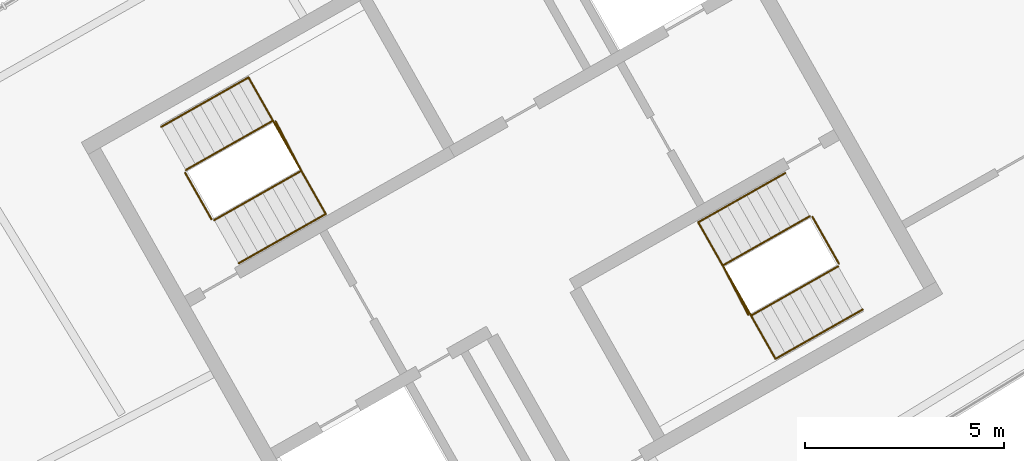
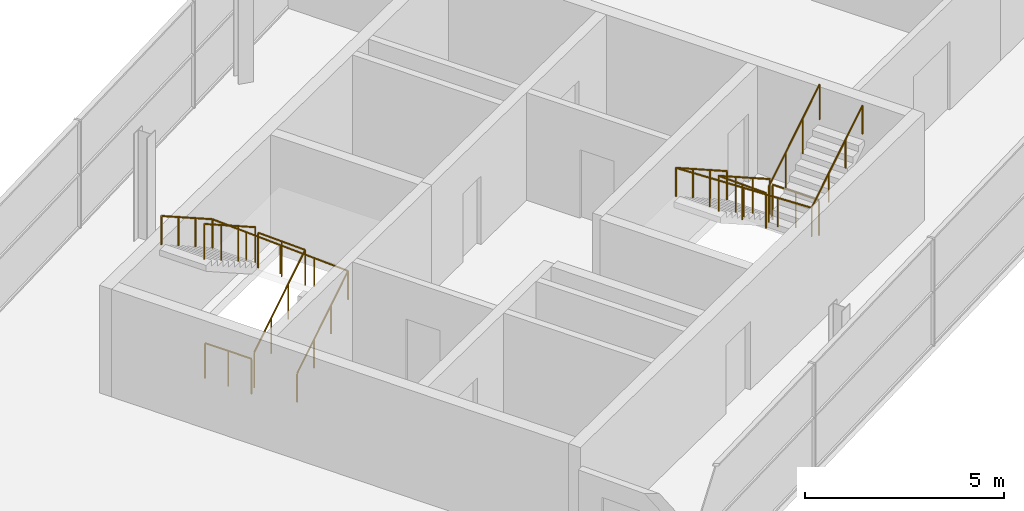
# One storey, part 8 of 8: 8 railings.
"""IFC4 building model written with IfcOpenShell, lengths in metres."""

import ifcopenshell
import ifcopenshell.guid

model = None  # the IFC model being written
_history = None  # IfcOwnerHistory: only IFC2X3 demands one
_inside = {}  # id of a spatial element -> (the spatial element, [elements in it])
_under = {}  # id of a project, library or spatial element -> (it, [spatial elements below it])
_declared = {}  # id of a project -> (the project, [libraries it declares])
_typed = {}  # id of a type object -> (the type object, [elements of that type])
_made_of = {}  # id of a material, layer set ... -> (it, [elements and type objects made of it])


def new_model(schema):
    """Start an empty IFC model of exactly this schema.

    Asked for "IFC4X3", IfcOpenShell would pick the latest addendum, in which some entities
    have other attributes; the version numbers below select the first issue.
    IFC2X3 requires an IfcOwnerHistory on every rooted entity: one is made here for all.
    """
    global model, _history
    if schema == "IFC4X3":
        model = ifcopenshell.file(schema_version=(4, 3, 0, 0))
    else:
        model = ifcopenshell.file(schema=schema)
    _inside.clear()
    _under.clear()
    _declared.clear()
    _typed.clear()
    _made_of.clear()
    _history = None
    if model.schema == "IFC2X3":
        org = make("IfcOrganization", Name="unknown")
        user = make(
            "IfcPersonAndOrganization",
            ThePerson=make("IfcPerson", FamilyName="unknown"),
            TheOrganization=org,
        )
        app = make(
            "IfcApplication",
            ApplicationDeveloper=org,
            Version="unknown",
            ApplicationFullName="unknown",
            ApplicationIdentifier="unknown",
        )
        _history = make(
            "IfcOwnerHistory",
            OwningUser=user,
            OwningApplication=app,
            ChangeAction="ADDED",
            CreationDate=0,
        )
    return model


def make(cls, **values):
    """One entity of the class cls with the attributes given. An attribute that is None is left unset."""
    return model.create_entity(
        cls, **{name: value for name, value in values.items() if value is not None}
    )


def rooted(cls, **values):
    """An entity with a GlobalId (a new one), such as an element, a storey or a relation."""
    return make(cls, GlobalId=ifcopenshell.guid.new(), OwnerHistory=_history, **values)


def si_unit(unit_type, name, prefix=None):
    """IfcSIUnit, for example si_unit("LENGTHUNIT", "METRE", prefix="MILLI")."""
    return make("IfcSIUnit", UnitType=unit_type, Prefix=prefix, Name=name)


def assignment(units):
    """IfcUnitAssignment: the units of a project."""
    return None if units is None else make("IfcUnitAssignment", Units=units)


def point(xyz):
    """IfcCartesianPoint."""
    return None if xyz is None else make("IfcCartesianPoint", Coordinates=xyz)


def direction(xyz):
    """IfcDirection."""
    return None if xyz is None else make("IfcDirection", DirectionRatios=xyz)


def frame(location, z_axis=None, x_axis=None):
    """IfcAxis2Placement3D, a coordinate frame: its origin and axes. An axis left out is left unset."""
    return make(
        "IfcAxis2Placement3D",
        Location=point(location),
        Axis=direction(z_axis),
        RefDirection=direction(x_axis),
    )


def frame_2d(location, x_axis=None):
    """IfcAxis2Placement2D, a coordinate frame in the plane: its origin and x axis."""
    return make(
        "IfcAxis2Placement2D", Location=point(location), RefDirection=direction(x_axis)
    )


def origin():
    """The frame at (0, 0, 0) with its axes left unset."""
    return frame((0.0, 0.0, 0.0))


def origin_2d():
    """The frame at (0, 0) in the plane with its x axis left unset."""
    return frame_2d((0.0, 0.0))


def place(relative_to, where):
    """IfcLocalPlacement: puts the frame where relative to a parent placement (None: the world)."""
    return make(
        "IfcLocalPlacement", PlacementRelTo=relative_to, RelativePlacement=where
    )


def context(
    kind, dimensions, precision=None, world=None, true_north=None, identifier=None
):
    """IfcGeometricRepresentationContext, for example the 3D "Model" context."""
    return make(
        "IfcGeometricRepresentationContext",
        ContextIdentifier=identifier,
        ContextType=kind,
        CoordinateSpaceDimension=dimensions,
        Precision=precision,
        WorldCoordinateSystem=world,
        TrueNorth=true_north,
    )


def subcontext(parent, identifier, kind, view, scale=None):
    """IfcGeometricRepresentationSubContext, for example "Body" below "Model"."""
    return make(
        "IfcGeometricRepresentationSubContext",
        ContextIdentifier=identifier,
        ContextType=kind,
        ParentContext=parent,
        TargetScale=scale,
        TargetView=view,
    )


def project(units=None, contexts=None):
    """IfcProject with its units and contexts."""
    return rooted(
        "IfcProject",
        Name="project",
        RepresentationContexts=contexts,
        UnitsInContext=assignment(units),
    )


def spatial(cls, under=None, at=None, **own):
    """A site, building, storey or space (cls), placed at a placement, below another one or the project."""
    s = rooted(cls, ObjectPlacement=at, **own)
    if under is not None:
        _under.setdefault(under.id(), (under, []))[1].append(s)
    return s


def profile(cls, at=None, kind="AREA", **sizes):
    """A parametric profile (cls). Its sizes go by their IFC names, for example OverallWidth=200.0."""
    return make(cls, ProfileType=kind, Position=at, **sizes)


def circle(**sizes):
    """IfcCircleProfileDef."""
    return profile("IfcCircleProfileDef", **sizes)


def extrude(swept, where, along, depth):
    """IfcExtrudedAreaSolid: the profile swept, set in the frame where, extruded along a direction by depth."""
    return make(
        "IfcExtrudedAreaSolid",
        SweptArea=swept,
        Position=where,
        ExtrudedDirection=direction(along),
        Depth=depth,
    )


def shape(context_of_items, identifier, shape_type, items):
    """IfcShapeRepresentation: the items that make up one representation, for example the "Body"."""
    return make(
        "IfcShapeRepresentation",
        ContextOfItems=context_of_items,
        RepresentationIdentifier=identifier,
        RepresentationType=shape_type,
        Items=items,
    )


def material(Name=None, Category=None):
    """IfcMaterial."""
    return make("IfcMaterial", Name=Name, Category=Category)


def made_of(thing, what):
    """Note that an element or type object is made of a material, layer set ...; save() writes the relation."""
    if what is not None:
        _made_of.setdefault(what.id(), (what, []))[1].append(thing)
    return thing


def type_object(cls, material=None, **own):
    """A type object (cls), such as IfcWallType, which elements share."""
    return made_of(rooted(cls, **own), material)


def element(
    cls,
    number,
    at=None,
    inside=None,
    cuts=None,
    type_object=None,
    material=None,
    context=None,
    identifier="Body",
    shape_type=None,
    held_by="IfcProductDefinitionShape",
    body=None,
    shapes=None,
    **own,
):
    """One element of the class cls, such as IfcWall. Its Tag is "e" and its number.

    at: its placement. inside: the storey or other place that contains it. cuts: it is an
    opening in that element (IfcRelVoidsElement). A single representation is given by context,
    identifier, shape_type and body (its items); several are given by shapes. held_by: the class
    of the entity that holds the representations. save() writes the other relations.
    """
    e = rooted(cls, Tag="e%d" % number, ObjectPlacement=at, **own)
    if body is not None:
        shapes = [shape(context, identifier, shape_type, body)]
    if shapes is not None:
        e.Representation = make(held_by, Representations=shapes)
    if inside is not None:
        _inside.setdefault(inside.id(), (inside, []))[1].append(e)
    if cuts is not None:
        rooted(
            "IfcRelVoidsElement", RelatingBuildingElement=cuts, RelatedOpeningElement=e
        )
    if type_object is not None:
        _typed.setdefault(type_object.id(), (type_object, []))[1].append(e)
    return made_of(e, material)


def aggregate(whole, parts):
    """IfcRelAggregates: a whole, such as a stair, and the parts it consists of."""
    return rooted("IfcRelAggregates", RelatingObject=whole, RelatedObjects=parts)


def save(model, path):
    """Write the relations noted so far, then the file.

    IfcRelAggregates (storeys below a building ...), IfcRelContainedInSpatialStructure (elements
    in a storey), IfcRelDefinesByType, IfcRelAssociatesMaterial and IfcRelDeclares: one each for
    every whole, place, type object, material and project.
    """
    for whole, parts in _under.values():
        aggregate(whole, parts)
    for where, things in _inside.values():
        rooted(
            "IfcRelContainedInSpatialStructure",
            RelatedElements=things,
            RelatingStructure=where,
        )
    for kind, things in _typed.values():
        rooted("IfcRelDefinesByType", RelatedObjects=things, RelatingType=kind)
    for what, things in _made_of.values():
        rooted("IfcRelAssociatesMaterial", RelatedObjects=things, RelatingMaterial=what)
    for by, libraries in _declared.values():
        rooted("IfcRelDeclares", RelatingContext=by, RelatedDefinitions=libraries)
    model.write(path)


model = new_model("IFC4")

# Units and contexts
model_context = context("Model", 3, precision=1e-05, world=origin(), true_north=direction((0.0, 1.0)))
body_context = subcontext(model_context, "Body", "Model", "MODEL_VIEW")
ifc_project = project(units=[si_unit("LENGTHUNIT", "METRE"), si_unit("AREAUNIT", "SQUARE_METRE"), si_unit("VOLUMEUNIT", "CUBIC_METRE"), si_unit("PLANEANGLEUNIT", "RADIAN"), si_unit("MASSUNIT", "GRAM", prefix="KILO")], contexts=[model_context])

# Site, building, storey
site_placement = place(None, origin())
site = spatial("IfcSite", under=ifc_project, at=site_placement, CompositionType="ELEMENT")
building_placement = place(site_placement, origin())
building = spatial("IfcBuilding", under=site, at=building_placement, Name="Binnacle Exchange Tower", CompositionType="ELEMENT")
storey_placement = place(building_placement, frame((0.0, 0.0, 350.5)))
storey = spatial("IfcBuildingStorey", under=building, at=storey_placement, Name="L80", CompositionType="ELEMENT", Elevation=350.5)

# Railings
ifc_material_1 = material(Name="Steel guard rail", Category="steel")
railing_type_1 = type_object("IfcRailingType", Name="STAIR GUARD 1100", PredefinedType="GUARDRAIL", material=ifc_material_1)
railing_1_placement = place(storey_placement, frame((-43.26171875, 39.71728515625, 0.179931640625)))
element("IfcRailing", 1, at=railing_1_placement, inside=storey, type_object=railing_type_1, Name="L80 STA1 stair guard 1", PredefinedType="GUARDRAIL", context=body_context, shape_type="SweptSolid", body=[
    extrude(circle(Radius=0.02392578125, at=origin_2d()), frame((0.0, 0.0, 1.076171875), z_axis=(0.732112736453, 0.41421739085, 0.540772497674), x_axis=(-0.492430705092, 0.870351653461, 0.0)), (0.0, 0.0, 1.0), 2.995849609375),
    extrude(circle(Radius=0.02392578125, at=origin_2d()), frame((2.193359375, 1.240966796875, 2.6962890625), z_axis=(-0.461100321709, 0.887348011391, 0.0), x_axis=(-0.887348011391, -0.461100321709, 0.0)), (0.0, 0.0, 1.0), 1.40087890625),
    extrude(circle(Radius=0.02099609375, at=origin_2d()), origin(), (0.0, 0.0, 1.0), 1.052001953125),
    extrude(circle(Radius=0.02099609375, at=origin_2d()), frame((0.731201171875, 0.41357421875, 0.5400390625)), (0.0, 0.0, 1.0), 1.052001953125),
    extrude(circle(Radius=0.02099609375, at=origin_2d()), frame((1.462158203125, 0.827392578125, 1.080078125)), (0.0, 0.0, 1.0), 1.052001953125),
    extrude(circle(Radius=0.02099609375, at=origin_2d()), frame((2.193359375, 1.240966796875, 1.6201171875)), (0.0, 0.0, 1.0), 1.052001953125),
    extrude(circle(Radius=0.02099609375, at=origin_2d()), frame((1.870361328125, 1.862548828125, 1.6201171875)), (0.0, 0.0, 1.0), 1.052001953125),
    extrude(circle(Radius=0.02099609375, at=origin_2d()), frame((1.54736328125, 2.484130859375, 1.6201171875)), (0.0, 0.0, 1.0), 1.052001953125),
])
railing_2_placement = place(storey_placement, frame((-41.782470703125, 42.22021484375, 1.97998046875)))
element("IfcRailing", 2, at=railing_2_placement, inside=storey, type_object=railing_type_1, Name="L80 STA1 stair guard 2", PredefinedType="GUARDRAIL", context=body_context, shape_type="SweptSolid", body=[
    extrude(circle(Radius=0.02392578125, at=origin_2d()), frame((0.0, 0.0, 1.076171875), z_axis=(-0.732112736453, -0.41421739085, 0.540772497674), x_axis=(0.492430705092, -0.870351653461, 0.0)), (0.0, 0.0, 1.0), 2.995849609375),
    extrude(circle(Radius=0.02099609375, at=origin_2d()), origin(), (0.0, 0.0, 1.0), 1.052001953125),
    extrude(circle(Radius=0.02099609375, at=origin_2d()), frame((-0.731201171875, -0.41357421875, 0.5400390625)), (0.0, 0.0, 1.0), 1.052001953125),
    extrude(circle(Radius=0.02099609375, at=origin_2d()), frame((-1.462158203125, -0.827392578125, 1.080078125)), (0.0, 0.0, 1.0), 1.052001953125),
    extrude(circle(Radius=0.02099609375, at=origin_2d()), frame((-2.193359375, -1.240966796875, 1.6201171875)), (0.0, 0.0, 1.0), 1.052001953125),
])
railing_3_placement = place(storey_placement, frame((-43.329833984375, 39.736328125, 0.0)))
element("IfcRailing", 3, at=railing_3_placement, inside=storey, type_object=railing_type_1, Name="L80 STA1 stair guard 3", PredefinedType="GUARDRAIL", context=body_context, shape_type="SweptSolid", body=[
    extrude(circle(Radius=0.02392578125, at=origin_2d()), frame((0.0, 0.0, 1.076171875), z_axis=(-0.4924922531, 0.870316827734, 0.0), x_axis=(-0.870316827734, -0.4924922531, 0.0)), (0.0, 0.0, 1.0), 1.349853515625),
    extrude(circle(Radius=0.02099609375, at=origin_2d()), origin(), (0.0, 0.0, 1.0), 1.052001953125),
    extrude(circle(Radius=0.02099609375, at=origin_2d()), frame((-0.33251953125, 0.58740234375, 0.0)), (0.0, 0.0, 1.0), 1.052001953125),
    extrude(circle(Radius=0.02099609375, at=origin_2d()), frame((-0.664794921875, 1.1748046875, 0.0)), (0.0, 0.0, 1.0), 1.052001953125),
])
railing_4_placement = place(storey_placement, frame((-28.265380859375, 39.814453125, 0.179931640625)))
element("IfcRailing", 4, at=railing_4_placement, inside=storey, type_object=railing_type_1, Name="L80 STA2 stair guard 1", PredefinedType="GUARDRAIL", context=body_context, shape_type="SweptSolid", body=[
    extrude(circle(Radius=0.02392578125, at=origin_2d()), frame((0.0, 0.0, 1.076171875), z_axis=(-0.732112736453, -0.41421739085, 0.540772497674), x_axis=(0.492430705092, -0.870351653461, 0.0)), (0.0, 0.0, 1.0), 2.995849609375),
    extrude(circle(Radius=0.02392578125, at=origin_2d()), frame((-2.193359375, -1.240966796875, 2.6962890625), z_axis=(0.461100321709, -0.887348011391, 0.0), x_axis=(0.887348011391, 0.461100321709, 0.0)), (0.0, 0.0, 1.0), 1.40087890625),
    extrude(circle(Radius=0.02099609375, at=origin_2d()), origin(), (0.0, 0.0, 1.0), 1.052001953125),
    extrude(circle(Radius=0.02099609375, at=origin_2d()), frame((-0.731201171875, -0.41357421875, 0.5400390625)), (0.0, 0.0, 1.0), 1.052001953125),
    extrude(circle(Radius=0.02099609375, at=origin_2d()), frame((-1.462158203125, -0.827392578125, 1.080078125)), (0.0, 0.0, 1.0), 1.052001953125),
    extrude(circle(Radius=0.02099609375, at=origin_2d()), frame((-2.193359375, -1.240966796875, 1.6201171875)), (0.0, 0.0, 1.0), 1.052001953125),
    extrude(circle(Radius=0.02099609375, at=origin_2d()), frame((-1.870361328125, -1.862548828125, 1.6201171875)), (0.0, 0.0, 1.0), 1.052001953125),
    extrude(circle(Radius=0.02099609375, at=origin_2d()), frame((-1.54736328125, -2.484130859375, 1.6201171875)), (0.0, 0.0, 1.0), 1.052001953125),
])
railing_5_placement = place(storey_placement, frame((-29.74462890625, 37.3115234375, 1.97998046875)))
element("IfcRailing", 5, at=railing_5_placement, inside=storey, type_object=railing_type_1, Name="L80 STA2 stair guard 2", PredefinedType="GUARDRAIL", context=body_context, shape_type="SweptSolid", body=[
    extrude(circle(Radius=0.02392578125, at=origin_2d()), frame((0.0, 0.0, 1.076171875), z_axis=(0.732074920478, 0.414242104062, 0.540804761471), x_axis=(-0.492472228755, 0.870328158746, 0.0)), (0.0, 0.0, 1.0), 2.995849609375),
    extrude(circle(Radius=0.02099609375, at=origin_2d()), origin(), (0.0, 0.0, 1.0), 1.052001953125),
    extrude(circle(Radius=0.02099609375, at=origin_2d()), frame((0.73095703125, 0.41357421875, 0.5400390625)), (0.0, 0.0, 1.0), 1.052001953125),
    extrude(circle(Radius=0.02099609375, at=origin_2d()), frame((1.462158203125, 0.827392578125, 1.080078125)), (0.0, 0.0, 1.0), 1.052001953125),
    extrude(circle(Radius=0.02099609375, at=origin_2d()), frame((2.193115234375, 1.240966796875, 1.6201171875)), (0.0, 0.0, 1.0), 1.052001953125),
])
railing_6_placement = place(storey_placement, frame((-28.197265625, 39.795654296875, 0.0)))
element("IfcRailing", 6, at=railing_6_placement, inside=storey, type_object=railing_type_1, Name="L80 STA2 stair guard 3", PredefinedType="GUARDRAIL", context=body_context, shape_type="SweptSolid", body=[
    extrude(circle(Radius=0.02392578125, at=origin_2d()), frame((0.0, 0.0, 1.076171875), z_axis=(0.49241474071, -0.870360685654, 0.0), x_axis=(0.870360685654, 0.49241474071, 0.0)), (0.0, 0.0, 1.0), 1.35009765625),
    extrude(circle(Radius=0.02099609375, at=origin_2d()), origin(), (0.0, 0.0, 1.0), 1.052001953125),
    extrude(circle(Radius=0.02099609375, at=origin_2d()), frame((0.33251953125, -0.58740234375, 0.0)), (0.0, 0.0, 1.0), 1.052001953125),
    extrude(circle(Radius=0.02099609375, at=origin_2d()), frame((0.664794921875, -1.175048828125, 0.0)), (0.0, 0.0, 1.0), 1.052001953125),
])
ifc_material_2 = material(Name="Steel handrail", Category="steel")
railing_type_2 = type_object("IfcRailingType", Name="STAIR HANDRAIL 900", PredefinedType="HANDRAIL", material=ifc_material_2)
railing_7_placement = place(storey_placement, frame((-42.646240234375, 38.62939453125, 0.179931640625)))
element("IfcRailing", 7, at=railing_7_placement, inside=storey, type_object=railing_type_2, Name="L80 STA1 stair handrail 1", PredefinedType="HANDRAIL", context=body_context, shape_type="SweptSolid", body=[
    extrude(circle(Radius=0.02392578125, at=origin_2d()), frame((0.0, 0.0, 0.8759765625), z_axis=(0.732112736453, 0.41421739085, 0.540772497674), x_axis=(-0.492430705092, 0.870351653461, 0.0)), (0.0, 0.0, 1.0), 2.995849609375),
    extrude(circle(Radius=0.02392578125, at=origin_2d()), frame((2.193359375, 1.240966796875, 2.49609375), z_axis=(-0.491929959296, 0.869444678906, 0.045506762897), x_axis=(-0.87034633103, -0.492440112159, 0.0)), (0.0, 0.0, 1.0), 3.953857421875),
    extrude(circle(Radius=0.02392578125, at=origin_2d()), frame((0.248291015625, 4.6787109375, 2.67578125), z_axis=(-0.73213744765, -0.414149878557, 0.540790750513), x_axis=(0.492357313618, -0.87039317307, 0.0)), (0.0, 0.0, 1.0), 2.995849609375),
    extrude(circle(Radius=0.02099609375, at=origin_2d()), origin(), (0.0, 0.0, 1.0), 0.851806640625),
    extrude(circle(Radius=0.02099609375, at=origin_2d()), frame((0.731201171875, 0.41357421875, 0.5400390625)), (0.0, 0.0, 1.0), 0.851806640625),
    extrude(circle(Radius=0.02099609375, at=origin_2d()), frame((1.462158203125, 0.827392578125, 1.080078125)), (0.0, 0.0, 1.0), 0.851806640625),
    extrude(circle(Radius=0.02099609375, at=origin_2d()), frame((2.193359375, 1.240966796875, 1.6201171875)), (0.0, 0.0, 1.0), 0.851806640625),
    extrude(circle(Radius=0.02099609375, at=origin_2d()), frame((1.70703125, 2.100341796875, 1.6650390625)), (0.0, 0.0, 1.0), 0.851806640625),
    extrude(circle(Radius=0.02099609375, at=origin_2d()), frame((1.220703125, 2.9599609375, 1.7099609375)), (0.0, 0.0, 1.0), 0.851806640625),
    extrude(circle(Radius=0.02099609375, at=origin_2d()), frame((0.734619140625, 3.8193359375, 1.755126953125)), (0.0, 0.0, 1.0), 0.851806640625),
    extrude(circle(Radius=0.02099609375, at=origin_2d()), frame((0.248291015625, 4.6787109375, 1.800048828125)), (0.0, 0.0, 1.0), 0.851806640625),
    extrude(circle(Radius=0.02099609375, at=origin_2d()), frame((-0.48291015625, 4.26513671875, 2.340087890625)), (0.0, 0.0, 1.0), 0.851806640625),
    extrude(circle(Radius=0.02099609375, at=origin_2d()), frame((-1.2138671875, 3.8515625, 2.880126953125)), (0.0, 0.0, 1.0), 0.851806640625),
    extrude(circle(Radius=0.02099609375, at=origin_2d()), frame((-1.945068359375, 3.43798828125, 3.420166015625)), (0.0, 0.0, 1.0), 0.851806640625),
])
railing_8_placement = place(storey_placement, frame((-28.880859375, 40.90234375, 0.179931640625)))
element("IfcRailing", 8, at=railing_8_placement, inside=storey, type_object=railing_type_2, Name="L80 STA2 stair handrail 1", PredefinedType="HANDRAIL", context=body_context, shape_type="SweptSolid", body=[
    extrude(circle(Radius=0.02392578125, at=origin_2d()), frame((0.0, 0.0, 0.8759765625), z_axis=(-0.73213744765, -0.414149878557, 0.540790750513), x_axis=(0.492357313618, -0.87039317307, 0.0)), (0.0, 0.0, 1.0), 2.995849609375),
    extrude(circle(Radius=0.02392578125, at=origin_2d()), frame((-2.193359375, -1.24072265625, 2.49609375), z_axis=(0.49190355138, -0.869459747776, 0.045504319991), x_axis=(0.870361318571, 0.492413622004, 0.0)), (0.0, 0.0, 1.0), 3.9541015625),
    extrude(circle(Radius=0.02392578125, at=origin_2d()), frame((-0.248291015625, -4.6787109375, 2.67578125), z_axis=(0.732112736453, 0.41421739085, 0.540772497674), x_axis=(-0.492430705092, 0.870351653461, 0.0)), (0.0, 0.0, 1.0), 2.995849609375),
    extrude(circle(Radius=0.02099609375, at=origin_2d()), origin(), (0.0, 0.0, 1.0), 0.851806640625),
    extrude(circle(Radius=0.02099609375, at=origin_2d()), frame((-0.731201171875, -0.41357421875, 0.5400390625)), (0.0, 0.0, 1.0), 0.851806640625),
    extrude(circle(Radius=0.02099609375, at=origin_2d()), frame((-1.462158203125, -0.8271484375, 1.080078125)), (0.0, 0.0, 1.0), 0.851806640625),
    extrude(circle(Radius=0.02099609375, at=origin_2d()), frame((-2.193359375, -1.24072265625, 1.6201171875)), (0.0, 0.0, 1.0), 0.851806640625),
    extrude(circle(Radius=0.02099609375, at=origin_2d()), frame((-1.70703125, -2.10009765625, 1.6650390625)), (0.0, 0.0, 1.0), 0.851806640625),
    extrude(circle(Radius=0.02099609375, at=origin_2d()), frame((-1.220703125, -2.959716796875, 1.7099609375)), (0.0, 0.0, 1.0), 0.851806640625),
    extrude(circle(Radius=0.02099609375, at=origin_2d()), frame((-0.734619140625, -3.8193359375, 1.755126953125)), (0.0, 0.0, 1.0), 0.851806640625),
    extrude(circle(Radius=0.02099609375, at=origin_2d()), frame((-0.248291015625, -4.6787109375, 1.800048828125)), (0.0, 0.0, 1.0), 0.851806640625),
    extrude(circle(Radius=0.02099609375, at=origin_2d()), frame((0.48291015625, -4.26513671875, 2.340087890625)), (0.0, 0.0, 1.0), 0.851806640625),
    extrude(circle(Radius=0.02099609375, at=origin_2d()), frame((1.2138671875, -3.851318359375, 2.880126953125)), (0.0, 0.0, 1.0), 0.851806640625),
    extrude(circle(Radius=0.02099609375, at=origin_2d()), frame((1.945068359375, -3.437744140625, 3.420166015625)), (0.0, 0.0, 1.0), 0.851806640625),
])

save(model, "model.ifc")
